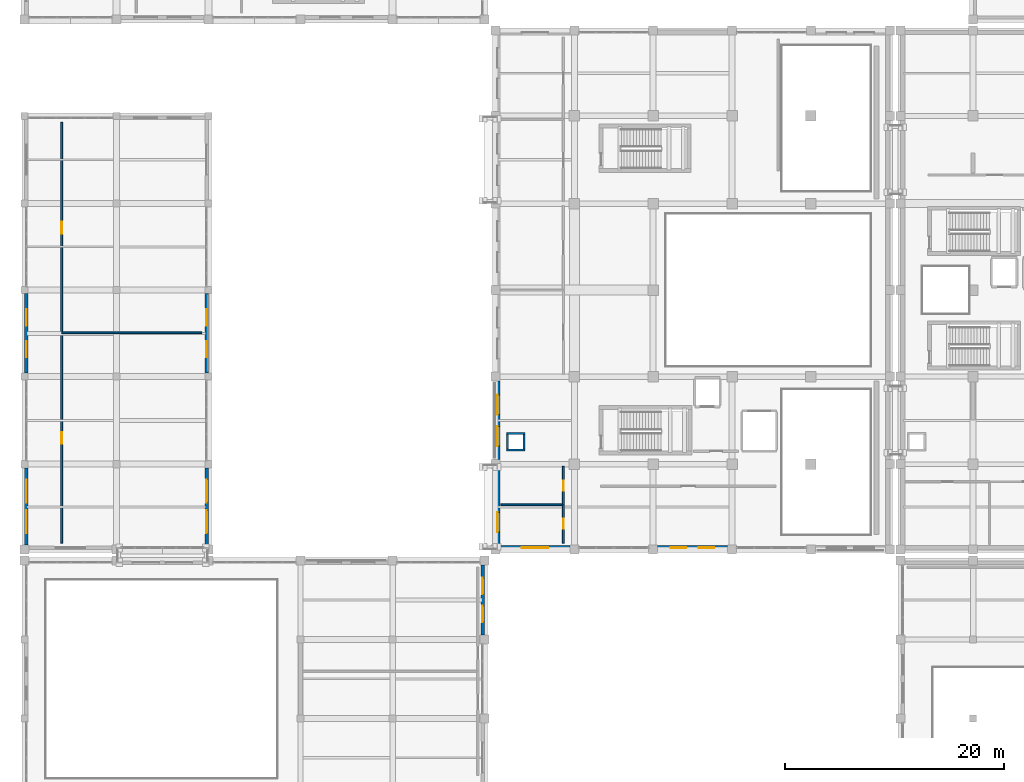
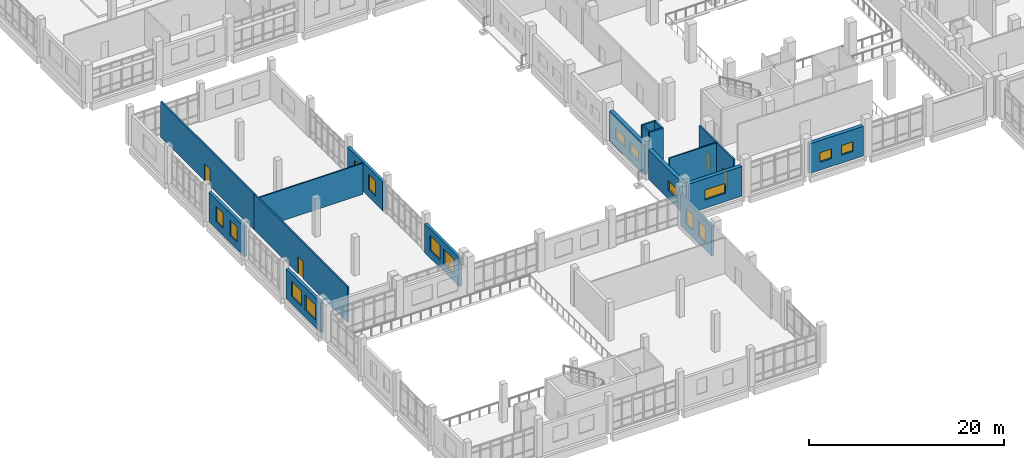
# One storey, part 63 of 90: 19 walls, 16 windows, 4 doors, 20 openings.
"""IFC4 building model written with IfcOpenShell, lengths in metres."""

from ifc_helpers import new_model, si_unit, direction, frame, frame_2d, origin, place, context, subcontext, project, spatial, rectangle, extrude, material, layer, layer_set, type_object, element, fill, save


model = new_model("IFC4")

# Units and contexts
model_context = context("Model", 3, precision=1e-05, world=origin(), true_north=direction((0.0, 1.0)))
body_context = subcontext(model_context, "Body", "Model", "MODEL_VIEW")
ifc_project = project(units=[si_unit("LENGTHUNIT", "METRE"), si_unit("AREAUNIT", "SQUARE_METRE"), si_unit("VOLUMEUNIT", "CUBIC_METRE"), si_unit("PLANEANGLEUNIT", "RADIAN"), si_unit("MASSUNIT", "GRAM", prefix="KILO")], contexts=[model_context])

# Site, building, storey
site_placement = place(None, origin())
site = spatial("IfcSite", under=ifc_project, at=site_placement, CompositionType="ELEMENT")
building_placement = place(site_placement, origin())
building = spatial("IfcBuilding", under=site, at=building_placement, Name="Kelarvand Opera House", CompositionType="ELEMENT")
storey_placement = place(building_placement, frame((0.0, 0.0, 5.39990234375)))
storey = spatial("IfcBuildingStorey", under=building, at=storey_placement, Name="L01", CompositionType="ELEMENT", Elevation=5.39990234375)

# Walls
ifc_material_1 = material(Name="Acoustic double-stud gypsum partition")
ifc_layer_1 = layer(ifc_material_1, 0.14990234375, Name="Acoustic double-stud gypsum partition")
ifc_layer_set_1 = layer_set([ifc_layer_1], Name="Acoustic double-stud gypsum partition")
wall_type_1 = type_object("IfcWallType", Name="Acoustic Room Partition Wall 150", PredefinedType="PARTITIONING", material=ifc_layer_set_1)
wall_1_placement = place(storey_placement, frame((52.5, 42.89990234375, 0.0), z_axis=(0.0, 0.0, 1.0), x_axis=(1.0, 0.0, 0.0)))
element("IfcWall", 1, at=wall_1_placement, inside=storey, type_object=wall_type_1, Name="V2 L01 Partition Wall IW-150 (387)", PredefinedType="PARTITIONING", context=body_context, shape_type="SweptSolid", body=[
    extrude(rectangle(XDim=5.699951171875, YDim=0.14990234375, at=frame_2d((2.85009765625, 0.0))), origin(), (0.0, 0.0, 1.0), 4.47216796875),
])
wall_2_placement = place(storey_placement, frame((12.39990234375, 58.60009765625, 0.0), z_axis=(0.0, 0.0, 1.0), x_axis=(1.0, 0.0, 0.0)))
element("IfcWall", 2, at=wall_2_placement, inside=storey, type_object=wall_type_1, Name="V4 L01 Partition Wall IW-150 (407)", PredefinedType="PARTITIONING", context=body_context, shape_type="SweptSolid", body=[
    extrude(rectangle(XDim=12.800048828125, YDim=0.14990234375, at=frame_2d((6.39990234375, 0.0))), origin(), (0.0, 0.0, 1.0), 3.89208984375),
])

# Wall, opening, door
ifc_material_2 = material(Name="Concrete C35/45", Category="concrete")
ifc_layer_2 = layer(ifc_material_2, 0.179931640625, Name="Concrete C35/45", Category="concrete")
ifc_layer_set_2 = layer_set([ifc_layer_2], Name="Concrete C35/45")
wall_type_2 = type_object("IfcWallType", Name="Corridor Fire-Rated Partition Wall 180 EI90", PredefinedType="PARTITIONING", material=ifc_layer_set_2)
wall_3_placement = place(storey_placement, frame((58.199951171875, 39.39990234375, 0.0), z_axis=(0.0, 0.0, 1.0), x_axis=(0.0, 1.0, 0.0)))
wall_3 = element("IfcWall", 3, at=wall_3_placement, inside=storey, type_object=wall_type_2, Name="V2 L01 Partition Wall IW-90 (386)", PredefinedType="PARTITIONING", context=body_context, shape_type="SweptSolid", body=[
    extrude(rectangle(XDim=3.5, YDim=0.179931640625, at=frame_2d((1.75, 0.0))), origin(), (0.0, 0.0, 1.0), 4.47216796875),
])
opening_1_placement = place(wall_3_placement, frame((1.2900390625, 0.0, 0.0)))
opening_1 = element("IfcOpeningElement", 4, at=opening_1_placement, cuts=wall_3, Name="Opening D-01", PredefinedType="OPENING", context=body_context, shape_type="SweptSolid", body=[
    extrude(rectangle(XDim=0.919921875, YDim=2.050048828125, at=frame_2d((0.4599609375, 1.02490234375))), frame((0.0, 0.10009765625, 0.0), z_axis=(0.0, -1.0, 0.0), x_axis=(1.0, 0.0, 0.0)), (0.0, 0.0, 1.0), 0.199951171875),
])
ifc_material_3 = material(Name="Acoustic walnut-veneered hardwood", Category="wood")
door_type_1 = type_object("IfcDoorType", Name="Solid Timber Dressing and WC Door 920x2050", OperationType="NOTDEFINED", PredefinedType="DOOR", material=ifc_material_3)
door_1_placement = place(opening_1_placement, origin())
door_1 = element("IfcDoor", 5, at=door_1_placement, inside=storey, type_object=door_type_1, Name="V2 L01 Door D-01 (168)", OperationType="SINGLE_SWING_RIGHT", OverallHeight=2.050048828125, OverallWidth=0.919921875, PredefinedType="DOOR", context=body_context, shape_type="SweptSolid", body=[
    extrude(rectangle(XDim=0.919921875, YDim=2.050048828125, at=frame_2d((0.4599609375, 1.02490234375))), frame((0.0, 0.02490234375, 0.0), z_axis=(0.0, -1.0, 0.0), x_axis=(1.0, 0.0, 0.0)), (0.0, 0.0, 1.0), 0.050048828125),
])
fill(opening_1, door_1)

wall_4_placement = place(storey_placement, frame((58.199951171875, 42.89990234375, 0.0), z_axis=(0.0, 0.0, 1.0), x_axis=(0.0, 1.0, 0.0)))
wall_4 = element("IfcWall", 6, at=wall_4_placement, inside=storey, type_object=wall_type_2, Name="V2 L01 Partition Wall IW-90 (388)", PredefinedType="PARTITIONING", context=body_context, shape_type="SweptSolid", body=[
    extrude(rectangle(XDim=3.5, YDim=0.179931640625, at=frame_2d((1.75, 0.0))), origin(), (0.0, 0.0, 1.0), 4.47216796875),
])
opening_2_placement = place(wall_4_placement, frame((1.2900390625, 0.0, 0.0)))
opening_2 = element("IfcOpeningElement", 7, at=opening_2_placement, cuts=wall_4, Name="Opening D-01", PredefinedType="OPENING", context=body_context, shape_type="SweptSolid", body=[
    extrude(rectangle(XDim=0.919921875, YDim=2.050048828125, at=frame_2d((0.4599609375, 1.02490234375))), frame((0.0, 0.10009765625, 0.0), z_axis=(0.0, -1.0, 0.0), x_axis=(1.0, 0.0, 0.0)), (0.0, 0.0, 1.0), 0.199951171875),
])
door_2_placement = place(opening_2_placement, origin())
door_2 = element("IfcDoor", 8, at=door_2_placement, inside=storey, type_object=door_type_1, Name="V2 L01 Door D-01 (169)", OperationType="SINGLE_SWING_LEFT", OverallHeight=2.050048828125, OverallWidth=0.919921875, PredefinedType="DOOR", context=body_context, shape_type="SweptSolid", body=[
    extrude(rectangle(XDim=0.919921875, YDim=2.050048828125, at=frame_2d((0.4599609375, 1.02490234375))), frame((0.0, 0.02490234375, 0.0), z_axis=(0.0, -1.0, 0.0), x_axis=(1.0, 0.0, 0.0)), (0.0, 0.0, 1.0), 0.050048828125),
])
fill(opening_2, door_2)

wall_5_placement = place(storey_placement, frame((12.39990234375, 39.39990234375, 0.0), z_axis=(0.0, 0.0, 1.0), x_axis=(0.0, 1.0, 0.0)))
wall_5 = element("IfcWall", 9, at=wall_5_placement, inside=storey, type_object=wall_type_2, Name="V4 L01 Partition Wall IW-90 (406)", PredefinedType="PARTITIONING", context=body_context, shape_type="SweptSolid", body=[
    extrude(rectangle(XDim=19.2001953125, YDim=0.179931640625, at=frame_2d((9.60009765625, 0.0))), origin(), (0.0, 0.0, 1.0), 4.4921875),
])
opening_3_placement = place(wall_5_placement, frame((9.074951171875, 0.0, 0.0)))
opening_3 = element("IfcOpeningElement", 10, at=opening_3_placement, cuts=wall_5, Name="Opening D-02", PredefinedType="OPENING", context=body_context, shape_type="SweptSolid", body=[
    extrude(rectangle(XDim=1.050048828125, YDim=2.10009765625, at=frame_2d((0.52490234375, 1.050048828125))), frame((0.0, 0.10009765625, 0.0), z_axis=(0.0, -1.0, 0.0), x_axis=(1.0, 0.0, 0.0)), (0.0, 0.0, 1.0), 0.199951171875),
])
door_type_2 = type_object("IfcDoorType", Name="Acoustic Studio Single Door 1050x2100", OperationType="NOTDEFINED", PredefinedType="DOOR", material=ifc_material_3)
door_3_placement = place(opening_3_placement, origin())
door_3 = element("IfcDoor", 11, at=door_3_placement, inside=storey, type_object=door_type_2, Name="V4 L01 Door D-02 (179)", OperationType="SINGLE_SWING_RIGHT", OverallHeight=2.10009765625, OverallWidth=1.050048828125, PredefinedType="DOOR", context=body_context, shape_type="SweptSolid", body=[
    extrude(rectangle(XDim=1.050048828125, YDim=2.10009765625, at=frame_2d((0.52490234375, 1.050048828125))), frame((0.0, 0.02490234375, 0.0), z_axis=(0.0, -1.0, 0.0), x_axis=(1.0, 0.0, 0.0)), (0.0, 0.0, 1.0), 0.050048828125),
])
fill(opening_3, door_3)

wall_6_placement = place(storey_placement, frame((12.39990234375, 58.60009765625, 0.0), z_axis=(0.0, 0.0, 1.0), x_axis=(0.0, 1.0, 0.0)))
wall_6 = element("IfcWall", 12, at=wall_6_placement, inside=storey, type_object=wall_type_2, Name="V4 L01 Partition Wall IW-90 (408)", PredefinedType="PARTITIONING", context=body_context, shape_type="SweptSolid", body=[
    extrude(rectangle(XDim=19.199951171875, YDim=0.179931640625, at=frame_2d((9.60009765625, 0.0))), origin(), (0.0, 0.0, 1.0), 4.4921875),
])
opening_4_placement = place(wall_6_placement, frame((9.0400390625, 0.0, 0.0)))
opening_4 = element("IfcOpeningElement", 13, at=opening_4_placement, cuts=wall_6, Name="Opening D-10", PredefinedType="OPENING", context=body_context, shape_type="SweptSolid", body=[
    extrude(rectangle(XDim=1.1201171875, YDim=2.1201171875, at=frame_2d((0.56005859375, 1.06005859375))), frame((0.0, 0.10009765625, 0.0), z_axis=(0.0, -1.0, 0.0), x_axis=(1.0, 0.0, 0.0)), (0.0, 0.0, 1.0), 0.199951171875),
])
door_type_3 = type_object("IfcDoorType", Name="Chorus Studio Single Door 1120x2120", OperationType="NOTDEFINED", PredefinedType="DOOR", material=ifc_material_3)
door_4_placement = place(opening_4_placement, origin())
door_4 = element("IfcDoor", 14, at=door_4_placement, inside=storey, type_object=door_type_3, Name="V4 L01 Door D-10 (180)", OperationType="SINGLE_SWING_LEFT", OverallHeight=2.1201171875, OverallWidth=1.1201171875, PredefinedType="DOOR", context=body_context, shape_type="SweptSolid", body=[
    extrude(rectangle(XDim=1.1201171875, YDim=2.1201171875, at=frame_2d((0.56005859375, 1.06005859375))), frame((0.0, 0.02490234375, 0.0), z_axis=(0.0, -1.0, 0.0), x_axis=(1.0, 0.0, 0.0)), (0.0, 0.0, 1.0), 0.050048828125),
])
fill(opening_4, door_4)

# Wall, openings, windows
ifc_layer_3 = layer(ifc_material_2, 0.320068359375, Name="Concrete C35/45", Category="concrete")
ifc_layer_set_3 = layer_set([ifc_layer_3], Name="Concrete C35/45")
wall_type_3 = type_object("IfcWallType", Name="Insulated Buff Brick Cavity Wall 320", PredefinedType="SOLIDWALL", material=ifc_layer_set_3)
wall_7_placement = place(storey_placement, frame((50.820068359375, 37.389892578125, 0.0), z_axis=(0.0, 0.0, 1.0), x_axis=(0.0, -1.0, 0.0)))
wall_7 = element("IfcWall", 15, at=wall_7_placement, inside=storey, type_object=wall_type_3, Name="V4 L01 Exterior Wall EW-320 (536)", PredefinedType="SOLIDWALL", context=body_context, shape_type="SweptSolid", body=[
    extrude(rectangle(XDim=6.3798828125, YDim=0.320068359375, at=frame_2d((3.18994140625, 0.0))), origin(), (0.0, 0.0, 1.0), 3.7421875),
])
opening_5_placement = place(wall_7_placement, frame((1.1640625, 0.0, 0.949951171875)))
opening_5 = element("IfcOpeningElement", 16, at=opening_5_placement, cuts=wall_7, Name="Opening WN-11", PredefinedType="OPENING", context=body_context, shape_type="SweptSolid", body=[
    extrude(rectangle(XDim=1.5, YDim=1.89990234375, at=frame_2d((0.75, 0.949951171875))), frame((0.0, 0.169921875, 0.0), z_axis=(0.0, -1.0, 0.0), x_axis=(1.0, 0.0, 0.0)), (0.0, 0.0, 1.0), 0.340087890625),
])
opening_6_placement = place(wall_7_placement, frame((3.716064453125, 0.0, 0.949951171875)))
opening_6 = element("IfcOpeningElement", 17, at=opening_6_placement, cuts=wall_7, Name="Opening WN-11", PredefinedType="OPENING", context=body_context, shape_type="SweptSolid", body=[
    extrude(rectangle(XDim=1.5, YDim=1.89990234375, at=frame_2d((0.75, 0.949951171875))), frame((0.0, 0.169921875, 0.0), z_axis=(0.0, -1.0, 0.0), x_axis=(1.0, 0.0, 0.0)), (0.0, 0.0, 1.0), 0.340087890625),
])
ifc_material_4 = material(Name="Thermally broken aluminium and low-E double glazing", Category="aluminium")
window_type_1 = type_object("IfcWindowType", Name="Recessed Aluminium Thermal Window 1500x1900 WN-11", PartitioningType="SINGLE_PANEL", PredefinedType="WINDOW", material=ifc_material_4)
window_1_placement = place(opening_5_placement, origin())
window_1 = element("IfcWindow", 18, at=window_1_placement, inside=storey, type_object=window_type_1, Name="V4 L01 Facade Window WN-11 (249)", OverallHeight=1.89990234375, OverallWidth=1.5, PartitioningType="SINGLE_PANEL", PredefinedType="WINDOW", context=body_context, shape_type="SweptSolid", body=[
    extrude(rectangle(XDim=1.5, YDim=1.89990234375, at=frame_2d((0.75, 0.949951171875))), frame((0.0, 0.030029296875, 0.0), z_axis=(0.0, -1.0, 0.0), x_axis=(1.0, 0.0, 0.0)), (0.0, 0.0, 1.0), 0.06005859375),
])
fill(opening_5, window_1)
window_2_placement = place(opening_6_placement, origin())
window_2 = element("IfcWindow", 19, at=window_2_placement, inside=storey, type_object=window_type_1, Name="V4 L01 Facade Window WN-11 (250)", OverallHeight=1.89990234375, OverallWidth=1.5, PartitioningType="SINGLE_PANEL", PredefinedType="WINDOW", context=body_context, shape_type="SweptSolid", body=[
    extrude(rectangle(XDim=1.5, YDim=1.89990234375, at=frame_2d((0.75, 0.949951171875))), frame((0.0, 0.030029296875, 0.0), z_axis=(0.0, -1.0, 0.0), x_axis=(1.0, 0.0, 0.0)), (0.0, 0.0, 1.0), 0.06005859375),
])
fill(opening_6, window_2)

wall_8_placement = place(storey_placement, frame((9.179931640625, 39.2099609375, 0.0), z_axis=(0.0, 0.0, 1.0), x_axis=(0.0, 1.0, 0.0)))
wall_8 = element("IfcWall", 20, at=wall_8_placement, inside=storey, type_object=wall_type_3, Name="V4 L01 Exterior Wall EW-320 (540)", PredefinedType="SOLIDWALL", context=body_context, shape_type="SweptSolid", body=[
    extrude(rectangle(XDim=7.06494140625, YDim=0.320068359375, at=frame_2d((3.532470703125, 0.0))), origin(), (0.0, 0.0, 1.0), 3.7421875),
])
opening_7_placement = place(wall_8_placement, frame((1.069091796875, 0.0, 0.949951171875)))
opening_7 = element("IfcOpeningElement", 21, at=opening_7_placement, cuts=wall_8, Name="Opening WN-13", PredefinedType="OPENING", context=body_context, shape_type="SweptSolid", body=[
    extrude(rectangle(XDim=2.10009765625, YDim=1.89990234375, at=frame_2d((1.050048828125, 0.949951171875))), frame((0.0, 0.169921875, 0.0), z_axis=(0.0, -1.0, 0.0), x_axis=(1.0, 0.0, 0.0)), (0.0, 0.0, 1.0), 0.340087890625),
])
opening_8_placement = place(wall_8_placement, frame((3.89501953125, 0.0, 0.949951171875)))
opening_8 = element("IfcOpeningElement", 22, at=opening_8_placement, cuts=wall_8, Name="Opening WN-13", PredefinedType="OPENING", context=body_context, shape_type="SweptSolid", body=[
    extrude(rectangle(XDim=2.10009765625, YDim=1.89990234375, at=frame_2d((1.050048828125, 0.949951171875))), frame((0.0, 0.169921875, 0.0), z_axis=(0.0, -1.0, 0.0), x_axis=(1.0, 0.0, 0.0)), (0.0, 0.0, 1.0), 0.340087890625),
])
window_type_2 = type_object("IfcWindowType", Name="Recessed Aluminium Thermal Window 2100x1900 WN-13", PartitioningType="SINGLE_PANEL", PredefinedType="WINDOW", material=ifc_material_4)
window_3_placement = place(opening_7_placement, origin())
window_3 = element("IfcWindow", 23, at=window_3_placement, inside=storey, type_object=window_type_2, Name="V4 L01 Facade Window WN-13 (256)", OverallHeight=1.89990234375, OverallWidth=2.10009765625, PartitioningType="SINGLE_PANEL", PredefinedType="WINDOW", context=body_context, shape_type="SweptSolid", body=[
    extrude(rectangle(XDim=2.10009765625, YDim=1.89990234375, at=frame_2d((1.050048828125, 0.949951171875))), frame((0.0, 0.030029296875, 0.0), z_axis=(0.0, -1.0, 0.0), x_axis=(1.0, 0.0, 0.0)), (0.0, 0.0, 1.0), 0.06005859375),
])
fill(opening_7, window_3)
window_4_placement = place(opening_8_placement, origin())
window_4 = element("IfcWindow", 24, at=window_4_placement, inside=storey, type_object=window_type_2, Name="V4 L01 Facade Window WN-13 (257)", OverallHeight=1.89990234375, OverallWidth=2.10009765625, PartitioningType="SINGLE_PANEL", PredefinedType="WINDOW", context=body_context, shape_type="SweptSolid", body=[
    extrude(rectangle(XDim=2.10009765625, YDim=1.89990234375, at=frame_2d((1.050048828125, 0.949951171875))), frame((0.0, 0.030029296875, 0.0), z_axis=(0.0, -1.0, 0.0), x_axis=(1.0, 0.0, 0.0)), (0.0, 0.0, 1.0), 0.06005859375),
])
fill(opening_8, window_4)

wall_9_placement = place(storey_placement, frame((9.179931640625, 54.925048828125, 0.0), z_axis=(0.0, 0.0, 1.0), x_axis=(0.0, 1.0, 0.0)))
wall_9 = element("IfcWall", 25, at=wall_9_placement, inside=storey, type_object=wall_type_3, Name="V4 L01 Exterior Wall EW-320 (541)", PredefinedType="SOLIDWALL", context=body_context, shape_type="SweptSolid", body=[
    extrude(rectangle(XDim=7.25, YDim=0.320068359375, at=frame_2d((3.625, 0.0))), origin(), (0.0, 0.0, 1.0), 3.7421875),
])
opening_9_placement = place(wall_9_placement, frame((1.425048828125, 0.0, 0.949951171875)))
opening_9 = element("IfcOpeningElement", 26, at=opening_9_placement, cuts=wall_9, Name="Opening WN-11", PredefinedType="OPENING", context=body_context, shape_type="SweptSolid", body=[
    extrude(rectangle(XDim=1.5, YDim=1.89990234375, at=frame_2d((0.75, 0.949951171875))), frame((0.0, 0.169921875, 0.0), z_axis=(0.0, -1.0, 0.0), x_axis=(1.0, 0.0, 0.0)), (0.0, 0.0, 1.0), 0.340087890625),
])
opening_10_placement = place(wall_9_placement, frame((4.324951171875, 0.0, 0.949951171875)))
opening_10 = element("IfcOpeningElement", 27, at=opening_10_placement, cuts=wall_9, Name="Opening WN-11", PredefinedType="OPENING", context=body_context, shape_type="SweptSolid", body=[
    extrude(rectangle(XDim=1.5, YDim=1.89990234375, at=frame_2d((0.75, 0.949951171875))), frame((0.0, 0.169921875, 0.0), z_axis=(0.0, -1.0, 0.0), x_axis=(1.0, 0.0, 0.0)), (0.0, 0.0, 1.0), 0.340087890625),
])
window_5_placement = place(opening_9_placement, origin())
window_5 = element("IfcWindow", 28, at=window_5_placement, inside=storey, type_object=window_type_1, Name="V4 L01 Facade Window WN-11 (258)", OverallHeight=1.89990234375, OverallWidth=1.5, PartitioningType="SINGLE_PANEL", PredefinedType="WINDOW", context=body_context, shape_type="SweptSolid", body=[
    extrude(rectangle(XDim=1.5, YDim=1.89990234375, at=frame_2d((0.75, 0.949951171875))), frame((0.0, 0.030029296875, 0.0), z_axis=(0.0, -1.0, 0.0), x_axis=(1.0, 0.0, 0.0)), (0.0, 0.0, 1.0), 0.06005859375),
])
fill(opening_9, window_5)
window_6_placement = place(opening_10_placement, origin())
window_6 = element("IfcWindow", 29, at=window_6_placement, inside=storey, type_object=window_type_1, Name="V4 L01 Facade Window WN-11 (259)", OverallHeight=1.89990234375, OverallWidth=1.5, PartitioningType="SINGLE_PANEL", PredefinedType="WINDOW", context=body_context, shape_type="SweptSolid", body=[
    extrude(rectangle(XDim=1.5, YDim=1.89990234375, at=frame_2d((0.75, 0.949951171875))), frame((0.0, 0.030029296875, 0.0), z_axis=(0.0, -1.0, 0.0), x_axis=(1.0, 0.0, 0.0)), (0.0, 0.0, 1.0), 0.06005859375),
])
fill(opening_10, window_6)

wall_10_placement = place(storey_placement, frame((25.6201171875, 62.175048828125, 0.0), z_axis=(0.0, 0.0, 1.0), x_axis=(0.0, -1.0, 0.0)))
wall_10 = element("IfcWall", 30, at=wall_10_placement, inside=storey, type_object=wall_type_3, Name="V4 L01 Exterior Wall EW-320 (545)", PredefinedType="SOLIDWALL", context=body_context, shape_type="SweptSolid", body=[
    extrude(rectangle(XDim=7.25, YDim=0.320068359375, at=frame_2d((3.625, 0.0))), origin(), (0.0, 0.0, 1.0), 3.64208984375),
])
opening_11_placement = place(wall_10_placement, frame((1.425048828125, 0.0, 0.949951171875)))
opening_11 = element("IfcOpeningElement", 31, at=opening_11_placement, cuts=wall_10, Name="Opening WN-11", PredefinedType="OPENING", context=body_context, shape_type="SweptSolid", body=[
    extrude(rectangle(XDim=1.5, YDim=1.89990234375, at=frame_2d((0.75, 0.949951171875))), frame((0.0, 0.169921875, 0.0), z_axis=(0.0, -1.0, 0.0), x_axis=(1.0, 0.0, 0.0)), (0.0, 0.0, 1.0), 0.340087890625),
])
opening_12_placement = place(wall_10_placement, frame((4.324951171875, 0.0, 0.949951171875)))
opening_12 = element("IfcOpeningElement", 32, at=opening_12_placement, cuts=wall_10, Name="Opening WN-11", PredefinedType="OPENING", context=body_context, shape_type="SweptSolid", body=[
    extrude(rectangle(XDim=1.5, YDim=1.89990234375, at=frame_2d((0.75, 0.949951171875))), frame((0.0, 0.169921875, 0.0), z_axis=(0.0, -1.0, 0.0), x_axis=(1.0, 0.0, 0.0)), (0.0, 0.0, 1.0), 0.340087890625),
])
window_7_placement = place(opening_11_placement, origin())
window_7 = element("IfcWindow", 33, at=window_7_placement, inside=storey, type_object=window_type_1, Name="V4 L01 Facade Window WN-11 (264)", OverallHeight=1.89990234375, OverallWidth=1.5, PartitioningType="SINGLE_PANEL", PredefinedType="WINDOW", context=body_context, shape_type="SweptSolid", body=[
    extrude(rectangle(XDim=1.5, YDim=1.89990234375, at=frame_2d((0.75, 0.949951171875))), frame((0.0, 0.030029296875, 0.0), z_axis=(0.0, -1.0, 0.0), x_axis=(1.0, 0.0, 0.0)), (0.0, 0.0, 1.0), 0.06005859375),
])
fill(opening_11, window_7)
window_8_placement = place(opening_12_placement, origin())
window_8 = element("IfcWindow", 34, at=window_8_placement, inside=storey, type_object=window_type_1, Name="V4 L01 Facade Window WN-11 (265)", OverallHeight=1.89990234375, OverallWidth=1.5, PartitioningType="SINGLE_PANEL", PredefinedType="WINDOW", context=body_context, shape_type="SweptSolid", body=[
    extrude(rectangle(XDim=1.5, YDim=1.89990234375, at=frame_2d((0.75, 0.949951171875))), frame((0.0, 0.030029296875, 0.0), z_axis=(0.0, -1.0, 0.0), x_axis=(1.0, 0.0, 0.0)), (0.0, 0.0, 1.0), 0.06005859375),
])
fill(opening_12, window_8)

wall_11_placement = place(storey_placement, frame((25.6201171875, 46.27490234375, 0.0), z_axis=(0.0, 0.0, 1.0), x_axis=(0.0, -1.0, 0.0)))
wall_11 = element("IfcWall", 35, at=wall_11_placement, inside=storey, type_object=wall_type_3, Name="V4 L01 Exterior Wall EW-320 (546)", PredefinedType="SOLIDWALL", context=body_context, shape_type="SweptSolid", body=[
    extrude(rectangle(XDim=7.06494140625, YDim=0.320068359375, at=frame_2d((3.532470703125, 0.0))), origin(), (0.0, 0.0, 1.0), 3.64208984375),
])
opening_13_placement = place(wall_11_placement, frame((1.069091796875, 0.0, 0.949951171875)))
opening_13 = element("IfcOpeningElement", 36, at=opening_13_placement, cuts=wall_11, Name="Opening WN-13", PredefinedType="OPENING", context=body_context, shape_type="SweptSolid", body=[
    extrude(rectangle(XDim=2.10009765625, YDim=1.89990234375, at=frame_2d((1.050048828125, 0.949951171875))), frame((0.0, 0.169921875, 0.0), z_axis=(0.0, -1.0, 0.0), x_axis=(1.0, 0.0, 0.0)), (0.0, 0.0, 1.0), 0.340087890625),
])
opening_14_placement = place(wall_11_placement, frame((3.89501953125, 0.0, 0.949951171875)))
opening_14 = element("IfcOpeningElement", 37, at=opening_14_placement, cuts=wall_11, Name="Opening WN-13", PredefinedType="OPENING", context=body_context, shape_type="SweptSolid", body=[
    extrude(rectangle(XDim=2.10009765625, YDim=1.89990234375, at=frame_2d((1.050048828125, 0.949951171875))), frame((0.0, 0.169921875, 0.0), z_axis=(0.0, -1.0, 0.0), x_axis=(1.0, 0.0, 0.0)), (0.0, 0.0, 1.0), 0.340087890625),
])
window_9_placement = place(opening_13_placement, origin())
window_9 = element("IfcWindow", 38, at=window_9_placement, inside=storey, type_object=window_type_2, Name="V4 L01 Facade Window WN-13 (266)", OverallHeight=1.89990234375, OverallWidth=2.10009765625, PartitioningType="SINGLE_PANEL", PredefinedType="WINDOW", context=body_context, shape_type="SweptSolid", body=[
    extrude(rectangle(XDim=2.10009765625, YDim=1.89990234375, at=frame_2d((1.050048828125, 0.949951171875))), frame((0.0, 0.030029296875, 0.0), z_axis=(0.0, -1.0, 0.0), x_axis=(1.0, 0.0, 0.0)), (0.0, 0.0, 1.0), 0.06005859375),
])
fill(opening_13, window_9)
window_10_placement = place(opening_14_placement, origin())
window_10 = element("IfcWindow", 39, at=window_10_placement, inside=storey, type_object=window_type_2, Name="V4 L01 Facade Window WN-13 (267)", OverallHeight=1.89990234375, OverallWidth=2.10009765625, PartitioningType="SINGLE_PANEL", PredefinedType="WINDOW", context=body_context, shape_type="SweptSolid", body=[
    extrude(rectangle(XDim=2.10009765625, YDim=1.89990234375, at=frame_2d((1.050048828125, 0.949951171875))), frame((0.0, 0.030029296875, 0.0), z_axis=(0.0, -1.0, 0.0), x_axis=(1.0, 0.0, 0.0)), (0.0, 0.0, 1.0), 0.06005859375),
])
fill(opening_14, window_10)

# Walls
ifc_layer_4 = layer(ifc_material_2, 0.199951171875, Name="Concrete C35/45", Category="concrete")
ifc_layer_set_4 = layer_set([ifc_layer_4], Name="Concrete C35/45")
wall_type_4 = type_object("IfcWallType", Name="Lift and Riser Shaft Enclosure Wall 200 EI120", PredefinedType="PARTITIONING", material=ifc_layer_set_4)
for number, where, z_axis, x_axis, name in (
    (40, (53.0, 47.89990234375, 0.0), (0.0, 0.0, 1.0), (1.0, 0.0, 0.0), "RSR-V2 L01 Riser Shaft Wall 41"),
    (41, (54.699951171875, 49.39990234375, 0.0), (0.0, 0.0, 1.0), (-1.0, 0.0, 0.0), "RSR-V2 L01 Riser Shaft Wall 42"),
):
    element("IfcWall", number, at=place(storey_placement, frame(where, z_axis=z_axis, x_axis=x_axis)), inside=storey, type_object=wall_type_4, Name=name, PredefinedType="PARTITIONING", context=body_context, shape_type="SweptSolid", body=[
        extrude(rectangle(XDim=1.699951171875, YDim=0.199951171875, at=frame_2d((0.85009765625, 0.0))), origin(), (0.0, 0.0, 1.0), 4.5),
    ])
for number, where, z_axis, x_axis, name in (
    (42, (53.10009765625, 48.0, 0.0), (0.0, 0.0, 1.0), (0.0, 1.0, 0.0), "RSR-V2 L01 Riser Shaft Wall 43"),
    (43, (54.60009765625, 49.300048828125, 0.0), (0.0, 0.0, 1.0), (0.0, -1.0, 0.0), "RSR-V2 L01 Riser Shaft Wall 44"),
):
    element("IfcWall", number, at=place(storey_placement, frame(where, z_axis=z_axis, x_axis=x_axis)), inside=storey, type_object=wall_type_4, Name=name, PredefinedType="PARTITIONING", context=body_context, shape_type="SweptSolid", body=[
        extrude(rectangle(XDim=1.300048828125, YDim=0.199951171875, at=frame_2d((0.64990234375, 0.0))), origin(), (0.0, 0.0, 1.0), 4.5),
    ])

# Wall, opening, window
ifc_layer_5 = layer(ifc_material_2, 0.43994140625, Name="Concrete C35/45", Category="concrete")
ifc_layer_set_5 = layer_set([ifc_layer_5], Name="Concrete C35/45")
wall_type_5 = type_object("IfcWallType", Name="Stage House Acoustic Cavity Wall 440", PredefinedType="SOLIDWALL", material=ifc_layer_set_5)
wall_12_placement = place(storey_placement, frame((52.179931640625, 39.2099609375, 0.0), z_axis=(0.0, 0.0, 1.0), x_axis=(0.0, 1.0, 0.0)))
wall_12 = element("IfcWall", 44, at=wall_12_placement, inside=storey, type_object=wall_type_5, Name="V2 L01 Exterior Wall EW-440 (249)", PredefinedType="SOLIDWALL", context=body_context, shape_type="SweptSolid", body=[
    extrude(rectangle(XDim=6.97998046875, YDim=0.43994140625, at=frame_2d((3.489990234375, 0.0))), origin(), (0.0, 0.0, 1.0), 3.72216796875),
])
opening_15_placement = place(wall_12_placement, frame((1.194091796875, 0.0, 1.050048828125)))
opening_15 = element("IfcOpeningElement", 45, at=opening_15_placement, cuts=wall_12, Name="Opening WN-23", PredefinedType="OPENING", context=body_context, shape_type="SweptSolid", body=[
    extrude(rectangle(XDim=1.800048828125, YDim=1.25, at=frame_2d((0.89990234375, 0.625))), frame((0.0, 0.22998046875, 0.0), z_axis=(0.0, -1.0, 0.0), x_axis=(1.0, 0.0, 0.0)), (0.0, 0.0, 1.0), 0.4599609375),
])
window_type_3 = type_object("IfcWindowType", Name="Recessed Aluminium Thermal Window 1800x1250 WN-23", PartitioningType="SINGLE_PANEL", PredefinedType="WINDOW", material=ifc_material_4)
window_11_placement = place(opening_15_placement, origin())
window_11 = element("IfcWindow", 46, at=window_11_placement, inside=storey, type_object=window_type_3, Name="V2 L01 Facade Window WN-23 (22)", OverallHeight=1.25, OverallWidth=1.800048828125, PartitioningType="SINGLE_PANEL", PredefinedType="WINDOW", context=body_context, shape_type="SweptSolid", body=[
    extrude(rectangle(XDim=1.800048828125, YDim=1.25, at=frame_2d((0.89990234375, 0.625))), frame((0.0, 0.030029296875, 0.0), z_axis=(0.0, -1.0, 0.0), x_axis=(1.0, 0.0, 0.0)), (0.0, 0.0, 1.0), 0.06005859375),
])
fill(opening_15, window_11)

# Wall, openings, windows
wall_13_placement = place(storey_placement, frame((52.179931640625, 47.010009765625, 0.0), z_axis=(0.0, 0.0, 1.0), x_axis=(0.0, 1.0, 0.0)))
wall_13 = element("IfcWall", 47, at=wall_13_placement, inside=storey, type_object=wall_type_5, Name="V2 L01 Exterior Wall EW-440 (250)", PredefinedType="SOLIDWALL", context=body_context, shape_type="SweptSolid", body=[
    extrude(rectangle(XDim=7.179931640625, YDim=0.43994140625, at=frame_2d((3.58984375, 0.0))), origin(), (0.0, 0.0, 1.0), 3.72216796875),
])
opening_16_placement = place(wall_13_placement, frame((1.25390625, 0.0, 1.050048828125)))
opening_16 = element("IfcOpeningElement", 48, at=opening_16_placement, cuts=wall_13, Name="Opening WN-23", PredefinedType="OPENING", context=body_context, shape_type="SweptSolid", body=[
    extrude(rectangle(XDim=1.800048828125, YDim=1.25, at=frame_2d((0.89990234375, 0.625))), frame((0.0, 0.22998046875, 0.0), z_axis=(0.0, -1.0, 0.0), x_axis=(1.0, 0.0, 0.0)), (0.0, 0.0, 1.0), 0.4599609375),
])
opening_17_placement = place(wall_13_placement, frame((4.1259765625, 0.0, 1.050048828125)))
opening_17 = element("IfcOpeningElement", 49, at=opening_17_placement, cuts=wall_13, Name="Opening WN-23", PredefinedType="OPENING", context=body_context, shape_type="SweptSolid", body=[
    extrude(rectangle(XDim=1.800048828125, YDim=1.25, at=frame_2d((0.89990234375, 0.625))), frame((0.0, 0.22998046875, 0.0), z_axis=(0.0, -1.0, 0.0), x_axis=(1.0, 0.0, 0.0)), (0.0, 0.0, 1.0), 0.4599609375),
])
window_12_placement = place(opening_16_placement, origin())
window_12 = element("IfcWindow", 50, at=window_12_placement, inside=storey, type_object=window_type_3, Name="V2 L01 Facade Window WN-23 (23)", OverallHeight=1.25, OverallWidth=1.800048828125, PartitioningType="SINGLE_PANEL", PredefinedType="WINDOW", context=body_context, shape_type="SweptSolid", body=[
    extrude(rectangle(XDim=1.800048828125, YDim=1.25, at=frame_2d((0.89990234375, 0.625))), frame((0.0, 0.030029296875, 0.0), z_axis=(0.0, -1.0, 0.0), x_axis=(1.0, 0.0, 0.0)), (0.0, 0.0, 1.0), 0.06005859375),
])
fill(opening_16, window_12)
window_13_placement = place(opening_17_placement, origin())
window_13 = element("IfcWindow", 51, at=window_13_placement, inside=storey, type_object=window_type_3, Name="V2 L01 Facade Window WN-23 (24)", OverallHeight=1.25, OverallWidth=1.800048828125, PartitioningType="SINGLE_PANEL", PredefinedType="WINDOW", context=body_context, shape_type="SweptSolid", body=[
    extrude(rectangle(XDim=1.800048828125, YDim=1.25, at=frame_2d((0.89990234375, 0.625))), frame((0.0, 0.030029296875, 0.0), z_axis=(0.0, -1.0, 0.0), x_axis=(1.0, 0.0, 0.0)), (0.0, 0.0, 1.0), 0.06005859375),
])
fill(opening_17, window_13)

wall_14_placement = place(storey_placement, frame((73.18994140625, 38.97998046875, 0.0), z_axis=(0.0, 0.0, 1.0), x_axis=(-1.0, 0.0, 0.0)))
wall_14 = element("IfcWall", 52, at=wall_14_placement, inside=storey, type_object=wall_type_5, Name="V2 L01 Exterior Wall EW-440 (256)", PredefinedType="SOLIDWALL", context=body_context, shape_type="SweptSolid", body=[
    extrude(rectangle(XDim=6.3798828125, YDim=0.43994140625, at=frame_2d((3.18994140625, 0.0))), origin(), (0.0, 0.0, 1.0), 3.72216796875),
])
opening_18_placement = place(wall_14_placement, frame((1.214111328125, 0.0, 1.0)))
opening_18 = element("IfcOpeningElement", 53, at=opening_18_placement, cuts=wall_14, Name="Opening WN-24", PredefinedType="OPENING", context=body_context, shape_type="SweptSolid", body=[
    extrude(rectangle(XDim=1.39990234375, YDim=1.199951171875, at=frame_2d((0.699951171875, 0.60009765625))), frame((0.0, 0.22998046875, 0.0), z_axis=(0.0, -1.0, 0.0), x_axis=(1.0, 0.0, 0.0)), (0.0, 0.0, 1.0), 0.4599609375),
])
opening_19_placement = place(wall_14_placement, frame((3.76611328125, 0.0, 1.0)))
opening_19 = element("IfcOpeningElement", 54, at=opening_19_placement, cuts=wall_14, Name="Opening WN-24", PredefinedType="OPENING", context=body_context, shape_type="SweptSolid", body=[
    extrude(rectangle(XDim=1.39990234375, YDim=1.199951171875, at=frame_2d((0.699951171875, 0.60009765625))), frame((0.0, 0.22998046875, 0.0), z_axis=(0.0, -1.0, 0.0), x_axis=(1.0, 0.0, 0.0)), (0.0, 0.0, 1.0), 0.4599609375),
])
window_type_4 = type_object("IfcWindowType", Name="Recessed Aluminium Thermal Window 1400x1200 WN-24", PartitioningType="SINGLE_PANEL", PredefinedType="WINDOW", material=ifc_material_4)
window_14_placement = place(opening_18_placement, origin())
window_14 = element("IfcWindow", 55, at=window_14_placement, inside=storey, type_object=window_type_4, Name="V2 L01 Facade Window WN-24 (35)", OverallHeight=1.199951171875, OverallWidth=1.39990234375, PartitioningType="SINGLE_PANEL", PredefinedType="WINDOW", context=body_context, shape_type="SweptSolid", body=[
    extrude(rectangle(XDim=1.39990234375, YDim=1.199951171875, at=frame_2d((0.699951171875, 0.60009765625))), frame((0.0, 0.030029296875, 0.0), z_axis=(0.0, -1.0, 0.0), x_axis=(1.0, 0.0, 0.0)), (0.0, 0.0, 1.0), 0.06005859375),
])
fill(opening_18, window_14)
window_15_placement = place(opening_19_placement, origin())
window_15 = element("IfcWindow", 56, at=window_15_placement, inside=storey, type_object=window_type_4, Name="V2 L01 Facade Window WN-24 (36)", OverallHeight=1.199951171875, OverallWidth=1.39990234375, PartitioningType="SINGLE_PANEL", PredefinedType="WINDOW", context=body_context, shape_type="SweptSolid", body=[
    extrude(rectangle(XDim=1.39990234375, YDim=1.199951171875, at=frame_2d((0.699951171875, 0.60009765625))), frame((0.0, 0.030029296875, 0.0), z_axis=(0.0, -1.0, 0.0), x_axis=(1.0, 0.0, 0.0)), (0.0, 0.0, 1.0), 0.06005859375),
])
fill(opening_19, window_15)

# Wall, opening, window
wall_15_placement = place(storey_placement, frame((58.7900390625, 38.97998046875, 0.0), z_axis=(0.0, 0.0, 1.0), x_axis=(-1.0, 0.0, 0.0)))
wall_15 = element("IfcWall", 57, at=wall_15_placement, inside=storey, type_object=wall_type_5, Name="V2 L01 Exterior Wall EW-440 (257)", PredefinedType="SOLIDWALL", context=body_context, shape_type="SweptSolid", body=[
    extrude(rectangle(XDim=6.380126953125, YDim=0.43994140625, at=frame_2d((3.18994140625, 0.0))), origin(), (0.0, 0.0, 1.0), 3.72216796875),
])
opening_20_placement = place(wall_15_placement, frame((1.989990234375, 0.0, 1.050048828125)))
opening_20 = element("IfcOpeningElement", 58, at=opening_20_placement, cuts=wall_15, Name="Opening WN-22", PredefinedType="OPENING", context=body_context, shape_type="SweptSolid", body=[
    extrude(rectangle(XDim=2.39990234375, YDim=1.25, at=frame_2d((1.199951171875, 0.625))), frame((0.0, 0.22998046875, 0.0), z_axis=(0.0, -1.0, 0.0), x_axis=(1.0, 0.0, 0.0)), (0.0, 0.0, 1.0), 0.4599609375),
])
window_type_5 = type_object("IfcWindowType", Name="Recessed Aluminium Thermal Window 2400x1250 WN-22", PartitioningType="SINGLE_PANEL", PredefinedType="WINDOW", material=ifc_material_4)
window_16_placement = place(opening_20_placement, origin())
window_16 = element("IfcWindow", 59, at=window_16_placement, inside=storey, type_object=window_type_5, Name="V2 L01 Facade Window WN-22 (37)", OverallHeight=1.25, OverallWidth=2.39990234375, PartitioningType="SINGLE_PANEL", PredefinedType="WINDOW", context=body_context, shape_type="SweptSolid", body=[
    extrude(rectangle(XDim=2.39990234375, YDim=1.25, at=frame_2d((1.199951171875, 0.625))), frame((0.0, 0.030029296875, 0.0), z_axis=(0.0, -1.0, 0.0), x_axis=(1.0, 0.0, 0.0)), (0.0, 0.0, 1.0), 0.06005859375),
])
fill(opening_20, window_16)

save(model, "model.ifc")
